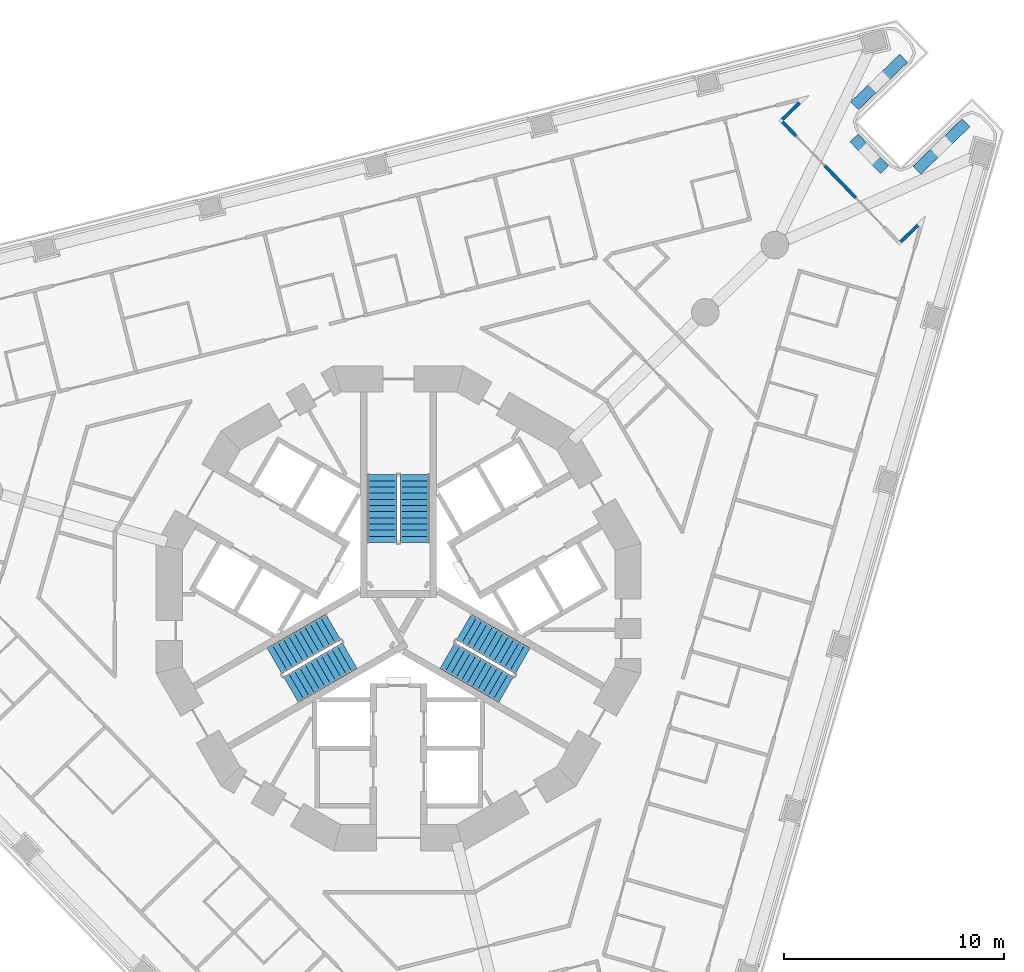
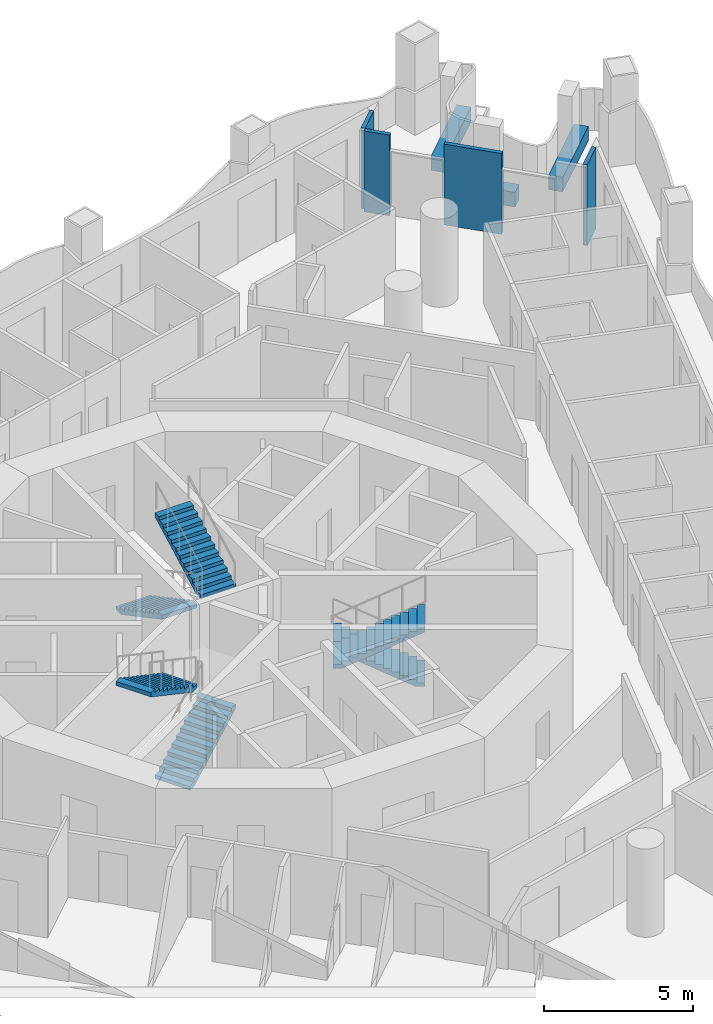
# One storey, part 11 of 19: 7 walls, 6 stair flights, 3 elements without a shape of their own.
"""IFC4 building model written with IfcOpenShell, lengths in metres."""

from ifc_helpers import new_model, si_unit, direction, frame, frame_2d, origin, place, context, subcontext, project, spatial, polyline, rectangle, outline, extrude, material, layer, layer_set, type_object, element, aggregate, save


model = new_model("IFC4")

# Units and contexts
model_context = context("Model", 3, precision=1e-05, world=origin(), true_north=direction((0.0, 1.0)))
body_context = subcontext(model_context, "Body", "Model", "MODEL_VIEW")
ifc_project = project(units=[si_unit("LENGTHUNIT", "METRE"), si_unit("AREAUNIT", "SQUARE_METRE"), si_unit("VOLUMEUNIT", "CUBIC_METRE"), si_unit("PLANEANGLEUNIT", "RADIAN"), si_unit("MASSUNIT", "GRAM", prefix="KILO")], contexts=[model_context])

# Site, building, storey
site_placement = place(None, origin())
site = spatial("IfcSite", under=ifc_project, at=site_placement, CompositionType="ELEMENT")
building_placement = place(site_placement, origin())
building = spatial("IfcBuilding", under=site, at=building_placement, Name="Trine Commons Tower", CompositionType="ELEMENT")
storey_placement = place(building_placement, frame((0.0, 0.0, 98.10009765625)))
storey = spatial("IfcBuildingStorey", under=building, at=storey_placement, Name="L24", CompositionType="ELEMENT", Elevation=98.10009765625)

# Walls
ifc_material_1 = material(Name="Aluminium-framed insulated wall panel", Category="aluminium")
ifc_layer_1 = layer(ifc_material_1, 0.14990234375)
ifc_layer_set_1 = layer_set([ifc_layer_1], Name="Aluminium-framed insulated wall panel")
wall_type_1 = type_object("IfcWallType", Name="Glazed frame wall 150, EI 60", PredefinedType="SOLIDWALL", material=ifc_layer_set_1)
wall_1_placement = place(storey_placement, frame((98.3076171875, 85.552490234375, 0.0), z_axis=(0.0, 0.0, 1.0), x_axis=(-0.719251336278, -0.694749966004, 0.0)))
element("IfcWall", 1, at=wall_1_placement, inside=storey, type_object=wall_type_1, Name="Glazed frame wall R5", PredefinedType="SOLIDWALL", context=body_context, shape_type="SweptSolid", body=[
    extrude(outline(polyline([(0.1494140625, 0.074951171875), (0.1494140625, -0.074951171875), (1.235107421875, -0.074951171875), (1.235107421875, 0.074951171875), (0.1494140625, 0.074951171875)])), origin(), (0.0, 0.0, 1.0), 3.2998046875),
])
wall_2_placement = place(storey_placement, frame((97.3408203125, 84.66748046875, 0.0), z_axis=(0.0, 0.0, 1.0), x_axis=(0.694668587965, -0.719329933267, 0.0)))
element("IfcWall", 2, at=wall_2_placement, inside=storey, type_object=wall_type_1, Name="Glazed frame wall P2.1", PredefinedType="SOLIDWALL", context=body_context, shape_type="SweptSolid", body=[
    extrude(outline(polyline([(0.110107421875, -0.074951171875), (1.0, -0.074951171875), (1.0, 0.074951171875), (0.110107421875, 0.074951171875), (0.110107421875, -0.074951171875)])), origin(), (0.0, 0.0, 1.0), 3.2998046875),
])
wall_3_placement = place(storey_placement, frame((99.35546875, 82.581298828125, 0.0), z_axis=(0.0, 0.0, 1.0), x_axis=(0.694668587965, -0.719329933267, 0.0)))
element("IfcWall", 3, at=wall_3_placement, inside=storey, type_object=wall_type_1, Name="Glazed frame wall P2.3", PredefinedType="SOLIDWALL", context=body_context, shape_type="SweptSolid", body=[
    extrude(outline(polyline([(0.0, -0.074951171875), (2.0, -0.074951171875), (2.0, 0.074951171875), (0.0, 0.074951171875), (0.0, -0.074951171875)])), origin(), (0.0, 0.0, 1.0), 3.2998046875),
])
wall_4_placement = place(storey_placement, frame((102.709716796875, 79.0576171875, 0.0), z_axis=(0.0, 0.0, 1.0), x_axis=(0.719342032924, 0.694656058542, 0.0)))
element("IfcWall", 4, at=wall_4_placement, inside=storey, type_object=wall_type_1, Name="Glazed frame wall R7", PredefinedType="SOLIDWALL", context=body_context, shape_type="SweptSolid", body=[
    extrude(outline(polyline([(0.110107421875, 0.074951171875), (0.110107421875, -0.074951171875), (1.19580078125, -0.074951171875), (1.19580078125, 0.074951171875), (0.110107421875, 0.074951171875)])), origin(), (0.0, 0.0, 1.0), 3.2998046875),
])
ifc_material_2 = material(Name="Planter trough, precast concrete C40/50", Category="concrete")
ifc_layer_2 = layer(ifc_material_2, 0.5)
ifc_layer_set_2 = layer_set([ifc_layer_2], Name="Planter trough, precast concrete C40/50")
wall_type_2 = type_object("IfcWallType", Name="Planter trough 500x600", PredefinedType="PARAPET", material=ifc_layer_set_2)
wall_5_placement = place(storey_placement, frame((102.923828125, 87.47314453125, 0.0), z_axis=(0.0, 0.0, 1.0), x_axis=(-0.719324109218, -0.694674618723, 0.0)))
element("IfcWall", 5, at=wall_5_placement, inside=storey, type_object=wall_type_2, Name="Planter 4", PredefinedType="PARAPET", context=body_context, shape_type="SweptSolid", body=[
    extrude(rectangle(XDim=3.10009765625, YDim=0.5, at=frame_2d((1.550048828125, 0.0))), origin(), (0.0, 0.0, 1.0), 0.599853515625),
])
wall_6_placement = place(storey_placement, frame((100.668212890625, 83.84912109375, 0.0), z_axis=(0.0, 0.0, 1.0), x_axis=(0.694731751498, -0.719268929859, 0.0)))
element("IfcWall", 6, at=wall_6_placement, inside=storey, type_object=wall_type_2, Name="Planter 5", PredefinedType="PARAPET", context=body_context, shape_type="SweptSolid", body=[
    extrude(rectangle(XDim=2.0, YDim=0.5, at=frame_2d((1.0, 0.0))), origin(), (0.0, 0.0, 1.0), 0.599853515625),
])
wall_7_placement = place(storey_placement, frame((103.528076171875, 82.385009765625, 0.0), z_axis=(0.0, 0.0, 1.0), x_axis=(0.719363462475, 0.694633866765, 0.0)))
element("IfcWall", 7, at=wall_7_placement, inside=storey, type_object=wall_type_2, Name="Planter 6", PredefinedType="PARAPET", context=body_context, shape_type="SweptSolid", body=[
    extrude(rectangle(XDim=3.099853515625, YDim=0.5, at=frame_2d((1.5498046875, 0.0))), origin(), (0.0, 0.0, 1.0), 0.599853515625),
])

# Stair, stair flights
ifc_material_3 = material(Name="Concrete C50/60", Category="concrete")
stair_type = type_object("IfcStairType", Name="Exit stair, dog-leg, 24 risers of 150 mm", PredefinedType="HALF_TURN_STAIR", material=ifc_material_3)
stair_1_placement = place(storey_placement, origin())
stair_1 = element("IfcStair", 8, at=stair_1_placement, inside=storey, type_object=stair_type, Name="L24 Exit stair ST1A", PredefinedType="HALF_TURN_STAIR")
stair_flight_type = type_object("IfcStairFlightType", Name="Stair flight, 1350 wide, 12 risers of 150 mm", PredefinedType="STRAIGHT", material=ifc_material_3)
stair_flight_1_placement = place(storey_placement, frame((79.25, 68.570556640625, 0.0), z_axis=(0.0, 0.0, 1.0), x_axis=(0.0, -1.0, 0.0)))
stair_flight_1 = element("IfcStairFlight", 9, at=stair_flight_1_placement, type_object=stair_flight_type, Name="ST1A flight 1", NumberOfRisers=12, NumberOfTreads=11, PredefinedType="STRAIGHT", RiserHeight=0.15, TreadLength=0.28, context=body_context, shape_type="SweptSolid", body=[
    extrude(outline(polyline([(0.0, 0.0), (0.0, 0.14990234375), (0.280029296875, 0.14990234375), (0.280029296875, 0.300048828125), (0.56005859375, 0.300048828125), (0.56005859375, 0.449951171875), (0.840087890625, 0.449951171875), (0.840087890625, 0.60009765625), (1.1201171875, 0.60009765625), (1.1201171875, 0.75), (1.39990234375, 0.75), (1.39990234375, 0.89990234375), (1.679931640625, 0.89990234375), (1.679931640625, 1.050048828125), (1.9599609375, 1.050048828125), (1.9599609375, 1.199951171875), (2.239990234375, 1.199951171875), (2.239990234375, 1.35009765625), (2.52001953125, 1.35009765625), (2.52001953125, 1.5), (2.800048828125, 1.5), (2.800048828125, 1.64990234375), (3.080078125, 1.64990234375), (3.080078125, 1.800048828125), (3.080078125, 1.47998046875), (0.3173828125, 0.0), (0.0, 0.0)])), frame((0.0, 0.675048828125, 0.0), z_axis=(0.0, -1.0, 0.0), x_axis=(1.0, 0.0, 0.0)), (0.0, 0.0, 1.0), 1.35009765625),
])
stair_flight_2_placement = place(storey_placement, frame((80.75, 65.490478515625, 1.7998046875), z_axis=(0.0, 0.0, 1.0), x_axis=(0.0, 1.0, 0.0)))
stair_flight_2 = element("IfcStairFlight", 10, at=stair_flight_2_placement, type_object=stair_flight_type, Name="ST1A flight 2", NumberOfRisers=12, NumberOfTreads=11, PredefinedType="STRAIGHT", RiserHeight=0.15, TreadLength=0.28, context=body_context, shape_type="SweptSolid", body=[
    extrude(outline(polyline([(0.0, 0.0), (0.0, 0.14990234375), (0.280029296875, 0.14990234375), (0.280029296875, 0.300048828125), (0.56005859375, 0.300048828125), (0.56005859375, 0.449951171875), (0.840087890625, 0.449951171875), (0.840087890625, 0.60009765625), (1.1201171875, 0.60009765625), (1.1201171875, 0.75), (1.39990234375, 0.75), (1.39990234375, 0.89990234375), (1.679931640625, 0.89990234375), (1.679931640625, 1.050048828125), (1.9599609375, 1.050048828125), (1.9599609375, 1.199951171875), (2.239990234375, 1.199951171875), (2.239990234375, 1.35009765625), (2.52001953125, 1.35009765625), (2.52001953125, 1.5), (2.800048828125, 1.5), (2.800048828125, 1.64990234375), (3.080078125, 1.64990234375), (3.080078125, 1.800048828125), (3.080078125, 1.47998046875), (0.3173828125, 0.0), (0.0, 0.0)])), frame((0.0, 0.675048828125, 0.0), z_axis=(0.0, -1.0, 0.0), x_axis=(1.0, 0.0, 0.0)), (0.0, 0.0, 1.0), 1.35009765625),
])
aggregate(stair_1, [stair_flight_1, stair_flight_2])

stair_2_placement = place(storey_placement, origin())
stair_2 = element("IfcStair", 11, at=stair_2_placement, inside=storey, type_object=stair_type, Name="L24 Exit stair ST2A", PredefinedType="HALF_TURN_STAIR")
stair_flight_3_placement = place(storey_placement, frame((75.11767578125, 58.815185546875, 0.0), z_axis=(0.0, 0.0, 1.0), x_axis=(0.866025403784, 0.5, 0.0)))
stair_flight_3 = element("IfcStairFlight", 12, at=stair_flight_3_placement, type_object=stair_flight_type, Name="ST2A flight 1", NumberOfRisers=12, NumberOfTreads=11, PredefinedType="STRAIGHT", RiserHeight=0.15, TreadLength=0.28, context=body_context, shape_type="SweptSolid", body=[
    extrude(outline(polyline([(0.0, 0.0), (0.0, 0.14990234375), (0.280029296875, 0.14990234375), (0.280029296875, 0.300048828125), (0.56005859375, 0.300048828125), (0.56005859375, 0.449951171875), (0.840087890625, 0.449951171875), (0.840087890625, 0.60009765625), (1.1201171875, 0.60009765625), (1.1201171875, 0.75), (1.39990234375, 0.75), (1.39990234375, 0.89990234375), (1.679931640625, 0.89990234375), (1.679931640625, 1.050048828125), (1.9599609375, 1.050048828125), (1.9599609375, 1.199951171875), (2.239990234375, 1.199951171875), (2.239990234375, 1.35009765625), (2.52001953125, 1.35009765625), (2.52001953125, 1.5), (2.800048828125, 1.5), (2.800048828125, 1.64990234375), (3.080078125, 1.64990234375), (3.080078125, 1.800048828125), (3.080078125, 1.47998046875), (0.3173828125, 0.0), (0.0, 0.0)])), frame((0.0, 0.675048828125, 0.0), z_axis=(0.0, -1.0, 0.0), x_axis=(1.0, 0.0, 0.0)), (0.0, 0.0, 1.0), 1.35009765625),
])
stair_flight_4_placement = place(storey_placement, frame((77.03515625, 61.654296875, 1.7998046875), z_axis=(0.0, 0.0, 1.0), x_axis=(-0.866025403784, -0.5, 0.0)))
stair_flight_4 = element("IfcStairFlight", 13, at=stair_flight_4_placement, type_object=stair_flight_type, Name="ST2A flight 2", NumberOfRisers=12, NumberOfTreads=11, PredefinedType="STRAIGHT", RiserHeight=0.15, TreadLength=0.28, context=body_context, shape_type="SweptSolid", body=[
    extrude(outline(polyline([(0.0, 0.0), (0.0, 0.14990234375), (0.280029296875, 0.14990234375), (0.280029296875, 0.300048828125), (0.56005859375, 0.300048828125), (0.56005859375, 0.449951171875), (0.840087890625, 0.449951171875), (0.840087890625, 0.60009765625), (1.1201171875, 0.60009765625), (1.1201171875, 0.75), (1.39990234375, 0.75), (1.39990234375, 0.89990234375), (1.679931640625, 0.89990234375), (1.679931640625, 1.050048828125), (1.9599609375, 1.050048828125), (1.9599609375, 1.199951171875), (2.239990234375, 1.199951171875), (2.239990234375, 1.35009765625), (2.52001953125, 1.35009765625), (2.52001953125, 1.5), (2.800048828125, 1.5), (2.800048828125, 1.64990234375), (3.080078125, 1.64990234375), (3.080078125, 1.800048828125), (3.080078125, 1.47998046875), (0.3173828125, 0.0), (0.0, 0.0)])), frame((0.0, 0.675048828125, 0.0), z_axis=(0.0, -1.0, 0.0), x_axis=(1.0, 0.0, 0.0)), (0.0, 0.0, 1.0), 1.35009765625),
])
aggregate(stair_2, [stair_flight_3, stair_flight_4])

stair_3_placement = place(storey_placement, origin())
stair_3 = element("IfcStair", 14, at=stair_3_placement, inside=storey, type_object=stair_type, Name="L24 Exit stair ST3A", PredefinedType="HALF_TURN_STAIR")
stair_flight_5_placement = place(storey_placement, frame((85.63232421875, 60.1142578125, 0.0), z_axis=(0.0, 0.0, 1.0), x_axis=(-0.866025403784, 0.5, 0.0)))
stair_flight_5 = element("IfcStairFlight", 15, at=stair_flight_5_placement, type_object=stair_flight_type, Name="ST3A flight 1", NumberOfRisers=12, NumberOfTreads=11, PredefinedType="STRAIGHT", RiserHeight=0.15, TreadLength=0.28, context=body_context, shape_type="SweptSolid", body=[
    extrude(outline(polyline([(0.0, 0.0), (0.0, 0.14990234375), (0.280029296875, 0.14990234375), (0.280029296875, 0.300048828125), (0.56005859375, 0.300048828125), (0.56005859375, 0.449951171875), (0.840087890625, 0.449951171875), (0.840087890625, 0.60009765625), (1.1201171875, 0.60009765625), (1.1201171875, 0.75), (1.39990234375, 0.75), (1.39990234375, 0.89990234375), (1.679931640625, 0.89990234375), (1.679931640625, 1.050048828125), (1.9599609375, 1.050048828125), (1.9599609375, 1.199951171875), (2.239990234375, 1.199951171875), (2.239990234375, 1.35009765625), (2.52001953125, 1.35009765625), (2.52001953125, 1.5), (2.800048828125, 1.5), (2.800048828125, 1.64990234375), (3.080078125, 1.64990234375), (3.080078125, 1.800048828125), (3.080078125, 1.47998046875), (0.3173828125, 0.0), (0.0, 0.0)])), frame((0.0, 0.675048828125, 0.0), z_axis=(0.0, -1.0, 0.0), x_axis=(1.0, 0.0, 0.0)), (0.0, 0.0, 1.0), 1.35009765625),
])
stair_flight_6_placement = place(storey_placement, frame((82.21484375, 60.355224609375, 1.7998046875), z_axis=(0.0, 0.0, 1.0), x_axis=(0.866025403784, -0.5, 0.0)))
stair_flight_6 = element("IfcStairFlight", 16, at=stair_flight_6_placement, type_object=stair_flight_type, Name="ST3A flight 2", NumberOfRisers=12, NumberOfTreads=11, PredefinedType="STRAIGHT", RiserHeight=0.15, TreadLength=0.28, context=body_context, shape_type="SweptSolid", body=[
    extrude(outline(polyline([(0.0, 0.0), (0.0, 0.14990234375), (0.280029296875, 0.14990234375), (0.280029296875, 0.300048828125), (0.56005859375, 0.300048828125), (0.56005859375, 0.449951171875), (0.840087890625, 0.449951171875), (0.840087890625, 0.60009765625), (1.1201171875, 0.60009765625), (1.1201171875, 0.75), (1.39990234375, 0.75), (1.39990234375, 0.89990234375), (1.679931640625, 0.89990234375), (1.679931640625, 1.050048828125), (1.9599609375, 1.050048828125), (1.9599609375, 1.199951171875), (2.239990234375, 1.199951171875), (2.239990234375, 1.35009765625), (2.52001953125, 1.35009765625), (2.52001953125, 1.5), (2.800048828125, 1.5), (2.800048828125, 1.64990234375), (3.080078125, 1.64990234375), (3.080078125, 1.800048828125), (3.080078125, 1.47998046875), (0.3173828125, 0.0), (0.0, 0.0)])), frame((0.0, 0.675048828125, 0.0), z_axis=(0.0, -1.0, 0.0), x_axis=(1.0, 0.0, 0.0)), (0.0, 0.0, 1.0), 1.35009765625),
])
aggregate(stair_3, [stair_flight_5, stair_flight_6])

save(model, "model.ifc")
